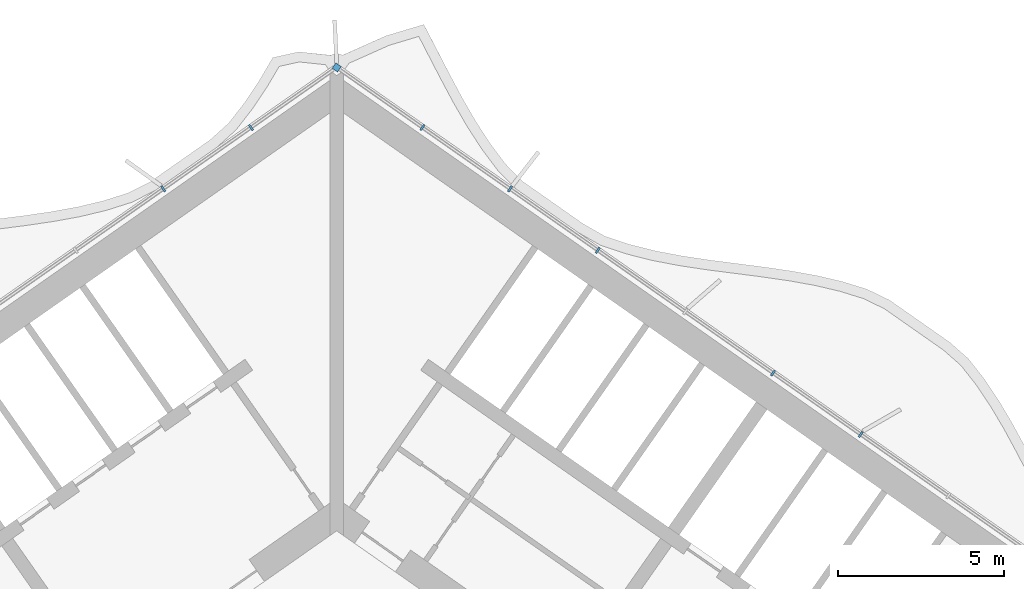
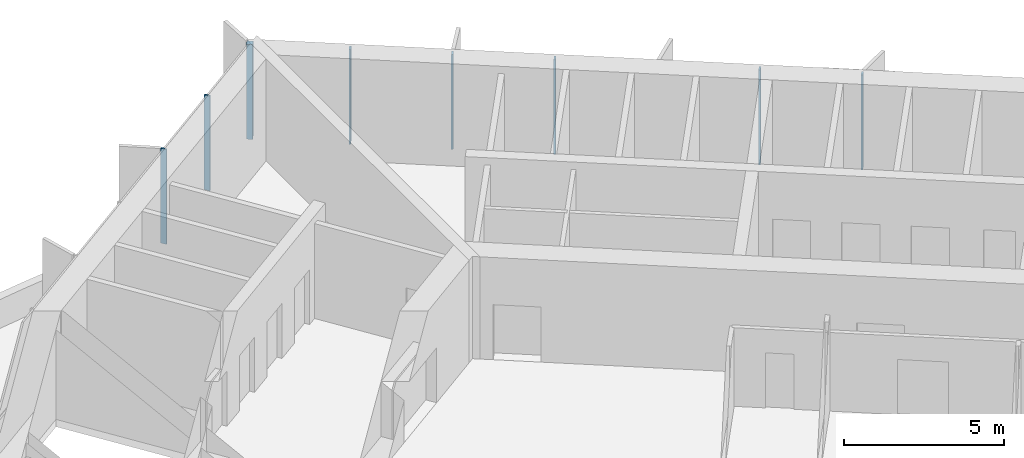
# One storey, part 8 of 23: 8 members, 1 element without a shape of its own.
"""IFC4 building model written with IfcOpenShell, lengths in metres."""

from ifc_helpers import new_model, si_unit, direction, frame, origin, origin_2d, place, context, subcontext, project, spatial, rectangle, extrude, material, material_profile, profile_set, type_object, element, aggregate, save


model = new_model("IFC4")

# Units and contexts
model_context = context("Model", 3, precision=1e-05, world=origin(), true_north=direction((0.0, 1.0)))
body_context = subcontext(model_context, "Body", "Model", "MODEL_VIEW")
ifc_project = project(units=[si_unit("LENGTHUNIT", "METRE"), si_unit("AREAUNIT", "SQUARE_METRE"), si_unit("VOLUMEUNIT", "CUBIC_METRE"), si_unit("PLANEANGLEUNIT", "RADIAN"), si_unit("MASSUNIT", "GRAM", prefix="KILO")], contexts=[model_context])

# Site, building, storey
site_placement = place(None, origin())
site = spatial("IfcSite", under=ifc_project, at=site_placement, CompositionType="ELEMENT")
building_placement = place(site_placement, origin())
building = spatial("IfcBuilding", under=site, at=building_placement, Name="Tel Ilan Convention Tower", CompositionType="ELEMENT")
storey_placement = place(building_placement, frame((0.0, 0.0, 190.5)))
storey = spatial("IfcBuildingStorey", under=building, at=storey_placement, Name="L44", CompositionType="ELEMENT", Elevation=190.5)

# Curtain wall, members
ifc_material_1 = material(Name="Aluminium, bronze anodised", Category="aluminium")
curtain_wall_type = type_object("IfcCurtainWallType", Name="CW2 STICK CURTAIN WALL, SPANDREL PANELS", PredefinedType="NOTDEFINED", material=ifc_material_1)
curtain_wall_placement = place(storey_placement, origin())
curtain_wall = element("IfcCurtainWall", 1, at=curtain_wall_placement, inside=storey, type_object=curtain_wall_type, Name="Curtain wall CW2-34.03", PredefinedType="NOTDEFINED")
ifc_material_2 = material(Name="Aluminium, bronze anodised", Category="aluminium")
ifc_material_profile_1 = material_profile(ifc_material_2, rectangle(XDim=0.199951171875, YDim=0.199951171875, at=origin_2d()), Name="CW CORNER MULLION 200x200")
ifc_profile_set_1 = profile_set([ifc_material_profile_1], Name="Aluminium, bronze anodised")
member_type_1 = type_object("IfcMemberType", Name="CW CORNER MULLION 200x200", PredefinedType="MULLION", material=ifc_profile_set_1)
member_1_placement = place(storey_placement, frame((0.0, 12.696044921875, 0.0), z_axis=(0.0, 0.0, 1.0), x_axis=(-0.819152044289, 0.573576436351, 0.0)))
member_1 = element("IfcMember", 2, at=member_1_placement, type_object=member_type_1, Name="Corner mullion", PredefinedType="MULLION", context=body_context, shape_type="SweptSolid", body=[
    extrude(rectangle(XDim=0.199951171875, YDim=0.199951171875, at=origin_2d()), origin(), (0.0, 0.0, 1.0), 3.6201171875),
])
ifc_material_3 = material(Name="Aluminium, bronze anodised", Category="aluminium")
ifc_material_profile_2 = material_profile(ifc_material_3, rectangle(XDim=0.06005859375, YDim=0.199951171875, at=origin_2d()), Name="CW MULLION 60x200")
ifc_profile_set_2 = profile_set([ifc_material_profile_2], Name="Aluminium, bronze anodised")
member_type_2 = type_object("IfcMemberType", Name="CW MULLION 60x200", PredefinedType="MULLION", material=ifc_profile_set_2)
member_2_placement = place(storey_placement, frame((15.73828125, 1.676025390625, 0.0), z_axis=(0.0, 0.0, 1.0), x_axis=(-0.819152044289, 0.573576436351, 0.0)))
member_2 = element("IfcMember", 3, at=member_2_placement, type_object=member_type_2, Name="Mullion", PredefinedType="MULLION", context=body_context, shape_type="SweptSolid", body=[
    extrude(rectangle(XDim=0.06005859375, YDim=0.199951171875, at=origin_2d()), origin(), (0.0, 0.0, 1.0), 3.6201171875),
])
member_3_placement = place(storey_placement, frame((13.105712890625, 3.519287109375, 0.0), z_axis=(0.0, 0.0, 1.0), x_axis=(-0.819152044289, 0.573576436351, 0.0)))
member_3 = element("IfcMember", 4, at=member_3_placement, type_object=member_type_2, Name="Mullion", PredefinedType="MULLION", context=body_context, shape_type="SweptSolid", body=[
    extrude(rectangle(XDim=0.06005859375, YDim=0.199951171875, at=origin_2d()), origin(), (0.0, 0.0, 1.0), 3.6201171875),
])
member_4_placement = place(storey_placement, frame((7.840576171875, 7.2060546875, 0.0), z_axis=(0.0, 0.0, 1.0), x_axis=(-0.819152044289, 0.573576436351, 0.0)))
member_4 = element("IfcMember", 5, at=member_4_placement, type_object=member_type_2, Name="Mullion", PredefinedType="MULLION", context=body_context, shape_type="SweptSolid", body=[
    extrude(rectangle(XDim=0.06005859375, YDim=0.199951171875, at=origin_2d()), origin(), (0.0, 0.0, 1.0), 3.6201171875),
])
member_5_placement = place(storey_placement, frame((5.207763671875, 9.049560546875, 0.0), z_axis=(0.0, 0.0, 1.0), x_axis=(-0.819152044289, 0.573576436351, 0.0)))
member_5 = element("IfcMember", 6, at=member_5_placement, type_object=member_type_2, Name="Mullion", PredefinedType="MULLION", context=body_context, shape_type="SweptSolid", body=[
    extrude(rectangle(XDim=0.06005859375, YDim=0.199951171875, at=origin_2d()), origin(), (0.0, 0.0, 1.0), 3.6201171875),
])
member_6_placement = place(storey_placement, frame((2.5751953125, 10.892822265625, 0.0), z_axis=(0.0, 0.0, 1.0), x_axis=(-0.819152044289, 0.573576436351, 0.0)))
member_6 = element("IfcMember", 7, at=member_6_placement, type_object=member_type_2, Name="Mullion", PredefinedType="MULLION", context=body_context, shape_type="SweptSolid", body=[
    extrude(rectangle(XDim=0.06005859375, YDim=0.199951171875, at=origin_2d()), origin(), (0.0, 0.0, 1.0), 3.6201171875),
])
member_7_placement = place(storey_placement, frame((-2.5751953125, 10.892822265625, 0.0), z_axis=(0.0, 0.0, 1.0), x_axis=(-0.819152044289, -0.573576436351, 0.0)))
member_7 = element("IfcMember", 8, at=member_7_placement, type_object=member_type_2, Name="Mullion", PredefinedType="MULLION", context=body_context, shape_type="SweptSolid", body=[
    extrude(rectangle(XDim=0.06005859375, YDim=0.199951171875, at=origin_2d()), origin(), (0.0, 0.0, 1.0), 3.6201171875),
])
member_8_placement = place(storey_placement, frame((-5.207763671875, 9.049560546875, 0.0), z_axis=(0.0, 0.0, 1.0), x_axis=(-0.819152044289, -0.573576436351, 0.0)))
member_8 = element("IfcMember", 9, at=member_8_placement, type_object=member_type_2, Name="Mullion", PredefinedType="MULLION", context=body_context, shape_type="SweptSolid", body=[
    extrude(rectangle(XDim=0.06005859375, YDim=0.199951171875, at=origin_2d()), origin(), (0.0, 0.0, 1.0), 3.6201171875),
])
aggregate(curtain_wall, [member_2, member_3, member_4, member_5, member_6, member_1, member_7, member_8])

save(model, "model.ifc")
